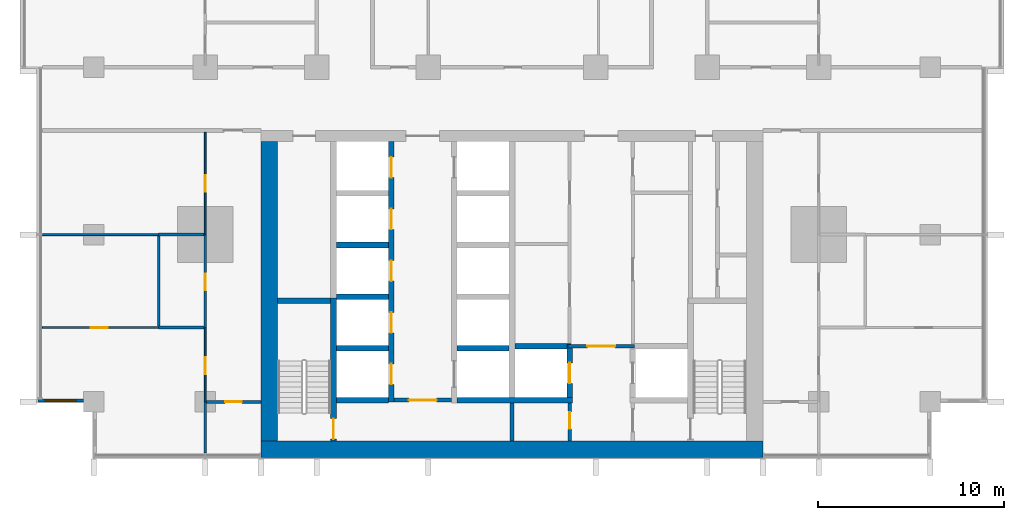
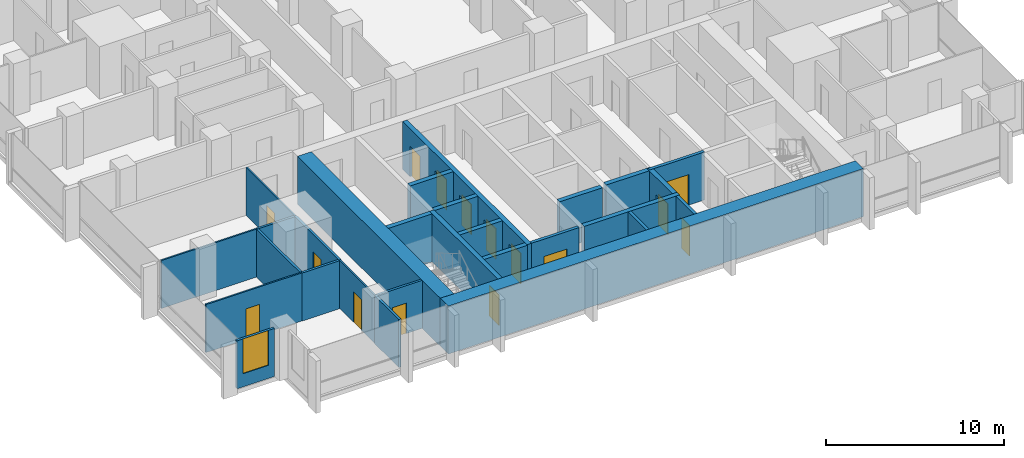
# One storey, part 7 of 18: 28 walls, 15 doors, 1 window, 16 openings.
"""IFC4 building model written with IfcOpenShell, lengths in metres."""

from ifc_helpers import new_model, si_unit, direction, frame, frame_2d, origin, place, context, subcontext, project, spatial, rectangle, extrude, material, layer, layer_set, type_object, element, fill, save


model = new_model("IFC4")

# Units and contexts
model_context = context("Model", 3, precision=1e-05, world=origin(), true_north=direction((0.0, 1.0)))
body_context = subcontext(model_context, "Body", "Model", "MODEL_VIEW")
ifc_project = project(units=[si_unit("LENGTHUNIT", "METRE"), si_unit("AREAUNIT", "SQUARE_METRE"), si_unit("VOLUMEUNIT", "CUBIC_METRE"), si_unit("PLANEANGLEUNIT", "RADIAN"), si_unit("MASSUNIT", "GRAM", prefix="KILO")], contexts=[model_context])

# Site, building, storey
site_placement = place(None, origin())
site = spatial("IfcSite", under=ifc_project, at=site_placement, CompositionType="ELEMENT")
building_placement = place(site_placement, origin())
building = spatial("IfcBuilding", under=site, at=building_placement, Name="Finial Court Residences", CompositionType="ELEMENT")
storey_placement = place(building_placement, frame((0.0, 0.0, 57.699951171875)))
storey = spatial("IfcBuildingStorey", under=building, at=storey_placement, Name="L13", CompositionType="ELEMENT", Elevation=57.699951171875)

# Walls
ifc_material_1 = material(Name="Concrete C80/95", Category="concrete")
ifc_layer_1 = layer(ifc_material_1, 0.89990234375)
ifc_layer_set_1 = layer_set([ifc_layer_1], Name="Core outer wall 900 Concrete C80/95")
wall_type_1 = type_object("IfcWallType", Name="Core outer wall 900 Concrete C80/95", PredefinedType="SHEAR", material=ifc_layer_set_1)
wall_1_placement = place(storey_placement, frame((-13.050048828125, -24.60009765625, 0.0), z_axis=(0.0, 0.0, 1.0), x_axis=(0.0, 1.0, 0.0)))
element("IfcWall", 1, at=wall_1_placement, inside=storey, type_object=wall_type_1, Name="Core outer wall L13-03", PredefinedType="SHEAR", context=body_context, shape_type="SweptSolid", body=[
    extrude(rectangle(XDim=16.10009765625, YDim=0.89990234375, at=frame_2d((8.050048828125, 0.0))), origin(), (0.0, 0.0, 1.0), 3.300048828125),
])
ifc_layer_2 = layer(ifc_material_1, 0.89990234375)
ifc_layer_set_2 = layer_set([ifc_layer_2], Name="Core south facade wall 900 Concrete C80/95")
wall_type_2 = type_object("IfcWallType", Name="Core south facade wall 900 Concrete C80/95", PredefinedType="SHEAR", material=ifc_layer_set_2)
wall_2_placement = place(storey_placement, frame((-13.5, -25.050048828125, 0.0), z_axis=(0.0, 0.0, 1.0), x_axis=(1.0, 0.0, 0.0)))
element("IfcWall", 2, at=wall_2_placement, inside=storey, type_object=wall_type_2, Name="Core outer wall L13-01", PredefinedType="SHEAR", context=body_context, shape_type="SweptSolid", body=[
    extrude(rectangle(XDim=27.0, YDim=0.89990234375, at=frame_2d((13.5, 0.0))), origin(), (0.0, 0.0, 1.0), 3.300048828125),
])

# Wall, opening, door
ifc_material_2 = material(Name="Fire-rated gypsum board partition")
ifc_layer_3 = layer(ifc_material_2, 0.199951171875)
ifc_layer_set_3 = layer_set([ifc_layer_3], Name="Firefighting lobby wall 200 EI 120")
wall_type_3 = type_object("IfcWallType", Name="Firefighting lobby wall 200 EI 120", PredefinedType="PARTITIONING", material=ifc_layer_set_3)
wall_3_placement = place(storey_placement, frame((6.574951171875, -19.5, 0.0), z_axis=(0.0, 0.0, 1.0), x_axis=(-1.0, 0.0, 0.0)))
wall_3 = element("IfcWall", 3, at=wall_3_placement, inside=storey, type_object=wall_type_3, Name="Core partition L13-08", PredefinedType="PARTITIONING", context=body_context, shape_type="SweptSolid", body=[
    extrude(rectangle(XDim=3.550048828125, YDim=0.199951171875, at=frame_2d((1.77490234375, 0.0))), origin(), (0.0, 0.0, 1.0), 3.300048828125),
])
opening_1_placement = place(wall_3_placement, frame((1.02490234375, 0.0, 0.0)))
opening_1 = element("IfcOpeningElement", 4, at=opening_1_placement, cuts=wall_3, Name="Opening L13-C02", PredefinedType="OPENING", context=body_context, shape_type="SweptSolid", body=[
    extrude(rectangle(XDim=1.5, YDim=2.10009765625, at=frame_2d((0.75, 1.050048828125))), frame((0.0, 0.10986328125, 0.0), z_axis=(0.0, -1.0, 0.0), x_axis=(1.0, 0.0, 0.0)), (0.0, 0.0, 1.0), 0.219970703125),
])
ifc_material_3 = material(Name="Steel fire door", Category="steel")
door_type_1 = type_object("IfcDoorType", Name="Firefighting lobby door 1500 x 2100 EI 90", OperationType="DOUBLE_DOOR_SINGLE_SWING", PredefinedType="DOOR", material=ifc_material_3)
door_1_placement = place(opening_1_placement, origin())
door_1 = element("IfcDoor", 5, at=door_1_placement, inside=storey, type_object=door_type_1, Name="Firefighting lobby door L13-C02", OperationType="DOUBLE_DOOR_SINGLE_SWING", OverallHeight=2.10009765625, OverallWidth=1.5, PredefinedType="DOOR", context=body_context, shape_type="SweptSolid", body=[
    extrude(rectangle(XDim=1.5, YDim=2.10009765625, at=frame_2d((0.75, 1.050048828125))), frame((0.0, 0.02490234375, 0.0), z_axis=(0.0, -1.0, 0.0), x_axis=(1.0, 0.0, 0.0)), (0.0, 0.0, 1.0), 0.050048828125),
])
fill(opening_1, door_1)

wall_4_placement = place(storey_placement, frame((3.10009765625, -24.60009765625, 0.0), z_axis=(0.0, 0.0, 1.0), x_axis=(0.0, 1.0, 0.0)))
wall_4 = element("IfcWall", 6, at=wall_4_placement, inside=storey, type_object=wall_type_3, Name="Core partition L13-27", PredefinedType="PARTITIONING", context=body_context, shape_type="SweptSolid", body=[
    extrude(rectangle(XDim=2.050048828125, YDim=0.199951171875, at=frame_2d((1.02490234375, 0.0))), origin(), (0.0, 0.0, 1.0), 3.300048828125),
])
opening_2_placement = place(wall_4_placement, frame((0.64990234375, 0.0, 0.0)))
opening_2 = element("IfcOpeningElement", 7, at=opening_2_placement, cuts=wall_4, Name="Opening L13-C06", PredefinedType="OPENING", context=body_context, shape_type="SweptSolid", body=[
    extrude(rectangle(XDim=0.89990234375, YDim=2.10009765625, at=frame_2d((0.449951171875, 1.050048828125))), frame((0.0, 0.10986328125, 0.0), z_axis=(0.0, -1.0, 0.0), x_axis=(1.0, 0.0, 0.0)), (0.0, 0.0, 1.0), 0.219970703125),
])
door_type_2 = type_object("IfcDoorType", Name="Riser room door 900 x 2100 EI 90", OperationType="NOTDEFINED", PredefinedType="DOOR", material=ifc_material_3)
door_2_placement = place(opening_2_placement, origin())
door_2 = element("IfcDoor", 8, at=door_2_placement, inside=storey, type_object=door_type_2, Name="Riser room door L13-C06", OperationType="SINGLE_SWING_LEFT", OverallHeight=2.10009765625, OverallWidth=0.89990234375, PredefinedType="DOOR", context=body_context, shape_type="SweptSolid", body=[
    extrude(rectangle(XDim=0.89990234375, YDim=2.10009765625, at=frame_2d((0.449951171875, 1.050048828125))), frame((0.0, 0.02490234375, 0.0), z_axis=(0.0, -1.0, 0.0), x_axis=(1.0, 0.0, 0.0)), (0.0, 0.0, 1.0), 0.050048828125),
])
fill(opening_2, door_2)

ifc_material_4 = material(Name="Gypsum board")
ifc_layer_4 = layer(ifc_material_4, 0.012451171875)
ifc_material_5 = material(Name="Mineral wool in light-gauge frame")
ifc_layer_5 = layer(ifc_material_5, 0.074951171875)
ifc_layer_6 = layer(ifc_material_4, 0.012451171875)
ifc_layer_set_4 = layer_set([ifc_layer_4, ifc_layer_5, ifc_layer_6], Name="Gypsum board partition 100")
wall_type_4 = type_object("IfcWallType", Name="Gypsum board partition 100", PredefinedType="PARTITIONING", material=ifc_layer_set_4)
wall_5_placement = place(storey_placement, frame((-25.25, -18.5, 0.0), z_axis=(0.0, 0.0, 1.0), x_axis=(1.0, 0.0, 0.0)))
wall_5 = element("IfcWall", 9, at=wall_5_placement, inside=storey, type_object=wall_type_4, Name="Partition L13-002", PredefinedType="PARTITIONING", context=body_context, shape_type="SweptSolid", body=[
    extrude(rectangle(XDim=6.25, YDim=0.10009765625, at=frame_2d((3.125, 0.0))), origin(), (0.0, 0.0, 1.0), 3.300048828125),
])
opening_3_placement = place(wall_5_placement, frame((2.60009765625, 0.0, 0.0)))
opening_3 = element("IfcOpeningElement", 10, at=opening_3_placement, cuts=wall_5, Name="Opening L13-D003", PredefinedType="OPENING", context=body_context, shape_type="SweptSolid", body=[
    extrude(rectangle(XDim=0.89990234375, YDim=2.10009765625, at=frame_2d((0.449951171875, 1.050048828125))), frame((0.0, 0.06005859375, 0.0), z_axis=(0.0, -1.0, 0.0), x_axis=(1.0, 0.0, 0.0)), (0.0, 0.0, 1.0), 0.1201171875),
])
ifc_material_6 = material(Name="Timber door leaf in timber frame", Category="wood")
door_type_3 = type_object("IfcDoorType", Name="Door set 900 x 2100", OperationType="SINGLE_SWING_LEFT", PredefinedType="DOOR", material=ifc_material_6)
door_3_placement = place(opening_3_placement, origin())
door_3 = element("IfcDoor", 11, at=door_3_placement, inside=storey, type_object=door_type_3, Name="Door L13-D003", OperationType="SINGLE_SWING_RIGHT", OverallHeight=2.10009765625, OverallWidth=0.89990234375, PredefinedType="DOOR", context=body_context, shape_type="SweptSolid", body=[
    extrude(rectangle(XDim=0.89990234375, YDim=2.10009765625, at=frame_2d((0.449951171875, 1.050048828125))), frame((0.0, 0.02490234375, 0.0), z_axis=(0.0, -1.0, 0.0), x_axis=(1.0, 0.0, 0.0)), (0.0, 0.0, 1.0), 0.050048828125),
])
fill(opening_3, door_3)

# Wall
wall_6_placement = place(storey_placement, frame((-25.25, -13.5, 0.0), z_axis=(0.0, 0.0, 1.0), x_axis=(1.0, 0.0, 0.0)))
element("IfcWall", 12, at=wall_6_placement, inside=storey, type_object=wall_type_4, Name="Partition L13-006", PredefinedType="PARTITIONING", context=body_context, shape_type="SweptSolid", body=[
    extrude(rectangle(XDim=6.25, YDim=0.10009765625, at=frame_2d((3.125, 0.0))), origin(), (0.0, 0.0, 1.0), 3.300048828125),
])

# Wall, opening, door
wall_7_placement = place(storey_placement, frame((-16.5, -22.5, 0.0), z_axis=(0.0, 0.0, 1.0), x_axis=(0.0, 1.0, 0.0)))
wall_7 = element("IfcWall", 13, at=wall_7_placement, inside=storey, type_object=wall_type_4, Name="Partition L13-060", PredefinedType="PARTITIONING", context=body_context, shape_type="SweptSolid", body=[
    extrude(rectangle(XDim=4.0, YDim=0.10009765625, at=frame_2d((2.0, 0.0))), origin(), (0.0, 0.0, 1.0), 3.300048828125),
])
opening_4_placement = place(wall_7_placement, frame((1.5, 0.0, 0.0)))
opening_4 = element("IfcOpeningElement", 14, at=opening_4_placement, cuts=wall_7, Name="Opening L13-D035", PredefinedType="OPENING", context=body_context, shape_type="SweptSolid", body=[
    extrude(rectangle(XDim=0.89990234375, YDim=2.10009765625, at=frame_2d((0.449951171875, 1.050048828125))), frame((0.0, 0.06005859375, 0.0), z_axis=(0.0, -1.0, 0.0), x_axis=(1.0, 0.0, 0.0)), (0.0, 0.0, 1.0), 0.1201171875),
])
door_4_placement = place(opening_4_placement, origin())
door_4 = element("IfcDoor", 15, at=door_4_placement, inside=storey, type_object=door_type_3, Name="Door L13-D035", OperationType="SINGLE_SWING_LEFT", OverallHeight=2.10009765625, OverallWidth=0.89990234375, PredefinedType="DOOR", context=body_context, shape_type="SweptSolid", body=[
    extrude(rectangle(XDim=0.89990234375, YDim=2.10009765625, at=frame_2d((0.449951171875, 1.050048828125))), frame((0.0, 0.02490234375, 0.0), z_axis=(0.0, -1.0, 0.0), x_axis=(1.0, 0.0, 0.0)), (0.0, 0.0, 1.0), 0.050048828125),
])
fill(opening_4, door_4)

wall_8_placement = place(storey_placement, frame((-16.5, -13.5, 0.0), z_axis=(0.0, 0.0, 1.0), x_axis=(0.0, 1.0, 0.0)))
wall_8 = element("IfcWall", 16, at=wall_8_placement, inside=storey, type_object=wall_type_4, Name="Partition L13-061", PredefinedType="PARTITIONING", context=body_context, shape_type="SweptSolid", body=[
    extrude(rectangle(XDim=5.5, YDim=0.10009765625, at=frame_2d((2.75, 0.0))), origin(), (0.0, 0.0, 1.0), 3.300048828125),
])
opening_5_placement = place(wall_8_placement, frame((2.300048828125, 0.0, 0.0)))
opening_5 = element("IfcOpeningElement", 17, at=opening_5_placement, cuts=wall_8, Name="Opening L13-D036", PredefinedType="OPENING", context=body_context, shape_type="SweptSolid", body=[
    extrude(rectangle(XDim=0.89990234375, YDim=2.10009765625, at=frame_2d((0.449951171875, 1.050048828125))), frame((0.0, 0.06005859375, 0.0), z_axis=(0.0, -1.0, 0.0), x_axis=(1.0, 0.0, 0.0)), (0.0, 0.0, 1.0), 0.1201171875),
])
door_5_placement = place(opening_5_placement, origin())
door_5 = element("IfcDoor", 18, at=door_5_placement, inside=storey, type_object=door_type_3, Name="Door L13-D036", OperationType="SINGLE_SWING_RIGHT", OverallHeight=2.10009765625, OverallWidth=0.89990234375, PredefinedType="DOOR", context=body_context, shape_type="SweptSolid", body=[
    extrude(rectangle(XDim=0.89990234375, YDim=2.10009765625, at=frame_2d((0.449951171875, 1.050048828125))), frame((0.0, 0.02490234375, 0.0), z_axis=(0.0, -1.0, 0.0), x_axis=(1.0, 0.0, 0.0)), (0.0, 0.0, 1.0), 0.050048828125),
])
fill(opening_5, door_5)

ifc_material_7 = material(Name="Moisture-resistant gypsum board")
ifc_layer_7 = layer(ifc_material_7, 0.012451171875)
ifc_layer_8 = layer(ifc_material_5, 0.125)
ifc_layer_9 = layer(ifc_material_7, 0.012451171875)
ifc_layer_set_5 = layer_set([ifc_layer_7, ifc_layer_8, ifc_layer_9], Name="Gypsum board wet-area partition 150")
wall_type_5 = type_object("IfcWallType", Name="Gypsum board wet-area partition 150", PredefinedType="PARTITIONING", material=ifc_layer_set_5)
wall_9_placement = place(storey_placement, frame((-16.425048828125, -22.5, 0.0), z_axis=(0.0, 0.0, 1.0), x_axis=(1.0, 0.0, 0.0)))
wall_9 = element("IfcWall", 19, at=wall_9_placement, inside=storey, type_object=wall_type_5, Name="Partition L13-000", PredefinedType="PARTITIONING", context=body_context, shape_type="SweptSolid", body=[
    extrude(rectangle(XDim=2.925048828125, YDim=0.14990234375, at=frame_2d((1.46240234375, 0.0))), origin(), (0.0, 0.0, 1.0), 3.300048828125),
])
opening_6_placement = place(wall_9_placement, frame((1.0, 0.0, 0.0)))
opening_6 = element("IfcOpeningElement", 20, at=opening_6_placement, cuts=wall_9, Name="Opening L13-D001", PredefinedType="OPENING", context=body_context, shape_type="SweptSolid", body=[
    extrude(rectangle(XDim=0.89990234375, YDim=2.10009765625, at=frame_2d((0.449951171875, 1.050048828125))), frame((0.0, 0.0849609375, 0.0), z_axis=(0.0, -1.0, 0.0), x_axis=(1.0, 0.0, 0.0)), (0.0, 0.0, 1.0), 0.169921875),
])
door_6_placement = place(opening_6_placement, origin())
door_6 = element("IfcDoor", 21, at=door_6_placement, inside=storey, type_object=door_type_3, Name="Door L13-D001", OperationType="SINGLE_SWING_RIGHT", OverallHeight=2.10009765625, OverallWidth=0.89990234375, PredefinedType="DOOR", context=body_context, shape_type="SweptSolid", body=[
    extrude(rectangle(XDim=0.89990234375, YDim=2.10009765625, at=frame_2d((0.449951171875, 1.050048828125))), frame((0.0, 0.02490234375, 0.0), z_axis=(0.0, -1.0, 0.0), x_axis=(1.0, 0.0, 0.0)), (0.0, 0.0, 1.0), 0.050048828125),
])
fill(opening_6, door_6)

# Walls
for number, where, z_axis, x_axis, name in (
    (22, (-19.0, -18.5, 0.0), (0.0, 0.0, 1.0), (1.0, 0.0, 0.0), "Partition L13-004"),
    (23, (-19.0, -13.5, 0.0), (0.0, 0.0, 1.0), (1.0, 0.0, 0.0), "Partition L13-008"),
):
    element("IfcWall", number, at=place(storey_placement, frame(where, z_axis=z_axis, x_axis=x_axis)), inside=storey, type_object=wall_type_5, Name=name, PredefinedType="PARTITIONING", context=body_context, shape_type="SweptSolid", body=[
        extrude(rectangle(XDim=2.425048828125, YDim=0.14990234375, at=frame_2d((1.21240234375, 0.0))), origin(), (0.0, 0.0, 1.0), 3.300048828125),
    ])
wall_10_placement = place(storey_placement, frame((-19.0, -18.425048828125, 0.0), z_axis=(0.0, 0.0, 1.0), x_axis=(0.0, 1.0, 0.0)))
element("IfcWall", 24, at=wall_10_placement, inside=storey, type_object=wall_type_5, Name="Partition L13-057", PredefinedType="PARTITIONING", context=body_context, shape_type="SweptSolid", body=[
    extrude(rectangle(XDim=4.85009765625, YDim=0.14990234375, at=frame_2d((2.425048828125, 0.0))), origin(), (0.0, 0.0, 1.0), 3.300048828125),
])
wall_11_placement = place(storey_placement, frame((-16.5, -25.25, 0.0), z_axis=(0.0, 0.0, 1.0), x_axis=(0.0, 1.0, 0.0)))
element("IfcWall", 25, at=wall_11_placement, inside=storey, type_object=wall_type_5, Name="Partition L13-065", PredefinedType="PARTITIONING", context=body_context, shape_type="SweptSolid", body=[
    extrude(rectangle(XDim=2.75, YDim=0.14990234375, at=frame_2d((1.375, 0.0))), origin(), (0.0, 0.0, 1.0), 3.300048828125),
])

# Wall, opening, door
wall_12_placement = place(storey_placement, frame((-16.5, -18.5, 0.0), z_axis=(0.0, 0.0, 1.0), x_axis=(0.0, 1.0, 0.0)))
wall_12 = element("IfcWall", 26, at=wall_12_placement, inside=storey, type_object=wall_type_5, Name="Partition L13-066", PredefinedType="PARTITIONING", context=body_context, shape_type="SweptSolid", body=[
    extrude(rectangle(XDim=5.0, YDim=0.14990234375, at=frame_2d((2.5, 0.0))), origin(), (0.0, 0.0, 1.0), 3.300048828125),
])
opening_7_placement = place(wall_12_placement, frame((2.0, 0.0, 0.0)))
opening_7 = element("IfcOpeningElement", 27, at=opening_7_placement, cuts=wall_12, Name="Opening L13-D040", PredefinedType="OPENING", context=body_context, shape_type="SweptSolid", body=[
    extrude(rectangle(XDim=0.89990234375, YDim=2.10009765625, at=frame_2d((0.449951171875, 1.050048828125))), frame((0.0, 0.0849609375, 0.0), z_axis=(0.0, -1.0, 0.0), x_axis=(1.0, 0.0, 0.0)), (0.0, 0.0, 1.0), 0.169921875),
])
door_7_placement = place(opening_7_placement, origin())
door_7 = element("IfcDoor", 28, at=door_7_placement, inside=storey, type_object=door_type_3, Name="Door L13-D040", OperationType="SINGLE_SWING_LEFT", OverallHeight=2.10009765625, OverallWidth=0.89990234375, PredefinedType="DOOR", context=body_context, shape_type="SweptSolid", body=[
    extrude(rectangle(XDim=0.89990234375, YDim=2.10009765625, at=frame_2d((0.449951171875, 1.050048828125))), frame((0.0, 0.02490234375, 0.0), z_axis=(0.0, -1.0, 0.0), x_axis=(1.0, 0.0, 0.0)), (0.0, 0.0, 1.0), 0.050048828125),
])
fill(opening_7, door_7)

# Walls
ifc_layer_10 = layer(ifc_material_1, 0.300048828125)
ifc_layer_set_6 = layer_set([ifc_layer_10], Name="Lift shaft and stair wall 300 Concrete C80/95")
wall_type_6 = type_object("IfcWallType", Name="Lift shaft and stair wall 300 Concrete C80/95", PredefinedType="SHEAR", material=ifc_layer_set_6)
wall_13_placement = place(storey_placement, frame((-9.449951171875, -22.39990234375, 0.0), z_axis=(0.0, 0.0, 1.0), x_axis=(1.0, 0.0, 0.0)))
element("IfcWall", 29, at=wall_13_placement, inside=storey, type_object=wall_type_6, Name="Core wall L13-01", PredefinedType="SHEAR", context=body_context, shape_type="SweptSolid", body=[
    extrude(rectangle(XDim=2.800048828125, YDim=0.300048828125, at=frame_2d((1.39990234375, 0.0))), origin(), (0.0, 0.0, 1.0), 3.300048828125),
])
wall_14_placement = place(storey_placement, frame((-2.949951171875, -22.39990234375, 0.0), z_axis=(0.0, 0.0, 1.0), x_axis=(1.0, 0.0, 0.0)))
element("IfcWall", 30, at=wall_14_placement, inside=storey, type_object=wall_type_6, Name="Core wall L13-03", PredefinedType="SHEAR", context=body_context, shape_type="SweptSolid", body=[
    extrude(rectangle(XDim=6.199951171875, YDim=0.300048828125, at=frame_2d((3.10009765625, 0.0))), origin(), (0.0, 0.0, 1.0), 3.300048828125),
])
for number, where, z_axis, x_axis, name in (
    (31, (-9.449951171875, -19.6201171875, 0.0), (0.0, 0.0, 1.0), (1.0, 0.0, 0.0), "Core wall L13-05"),
    (32, (-2.949951171875, -19.6201171875, 0.0), (0.0, 0.0, 1.0), (1.0, 0.0, 0.0), "Core wall L13-06"),
):
    element("IfcWall", number, at=place(storey_placement, frame(where, z_axis=z_axis, x_axis=x_axis)), inside=storey, type_object=wall_type_6, Name=name, PredefinedType="SHEAR", context=body_context, shape_type="SweptSolid", body=[
        extrude(rectangle(XDim=2.800048828125, YDim=0.300048828125, at=frame_2d((1.39990234375, 0.0))), origin(), (0.0, 0.0, 1.0), 3.300048828125),
    ])
wall_15_placement = place(storey_placement, frame((0.14990234375, -19.5, 0.0), z_axis=(0.0, 0.0, 1.0), x_axis=(1.0, 0.0, 0.0)))
element("IfcWall", 33, at=wall_15_placement, inside=storey, type_object=wall_type_6, Name="Core wall L13-07", PredefinedType="SHEAR", context=body_context, shape_type="SweptSolid", body=[
    extrude(rectangle(XDim=3.025146484375, YDim=0.300048828125, at=frame_2d((1.5126953125, 0.0))), origin(), (0.0, 0.0, 1.0), 3.300048828125),
])
wall_16_placement = place(storey_placement, frame((-12.60009765625, -17.050048828125, 0.0), z_axis=(0.0, 0.0, 1.0), x_axis=(1.0, 0.0, 0.0)))
element("IfcWall", 34, at=wall_16_placement, inside=storey, type_object=wall_type_6, Name="Core wall L13-10", PredefinedType="SHEAR", context=body_context, shape_type="SweptSolid", body=[
    extrude(rectangle(XDim=2.85009765625, YDim=0.300048828125, at=frame_2d((1.425048828125, 0.0))), origin(), (0.0, 0.0, 1.0), 3.300048828125),
])
for number, where, z_axis, x_axis, name in (
    (35, (-9.449951171875, -16.840087890625, 0.0), (0.0, 0.0, 1.0), (1.0, 0.0, 0.0), "Core wall L13-12"),
    (36, (-9.449951171875, -14.06005859375, 0.0), (0.0, 0.0, 1.0), (1.0, 0.0, 0.0), "Core wall L13-15"),
):
    element("IfcWall", number, at=place(storey_placement, frame(where, z_axis=z_axis, x_axis=x_axis)), inside=storey, type_object=wall_type_6, Name=name, PredefinedType="SHEAR", context=body_context, shape_type="SweptSolid", body=[
        extrude(rectangle(XDim=2.800048828125, YDim=0.300048828125, at=frame_2d((1.39990234375, 0.0))), origin(), (0.0, 0.0, 1.0), 3.300048828125),
    ])

# Wall, opening, door
wall_17_placement = place(storey_placement, frame((-9.60009765625, -24.60009765625, 0.0), z_axis=(0.0, 0.0, 1.0), x_axis=(0.0, 1.0, 0.0)))
wall_17 = element("IfcWall", 37, at=wall_17_placement, inside=storey, type_object=wall_type_6, Name="Core wall L13-21", PredefinedType="SHEAR", context=body_context, shape_type="SweptSolid", body=[
    extrude(rectangle(XDim=7.7001953125, YDim=0.300048828125, at=frame_2d((3.85009765625, 0.0))), origin(), (0.0, 0.0, 1.0), 3.300048828125),
])
opening_8_placement = place(wall_17_placement, frame((0.10009765625, 0.0, 0.0)))
opening_8 = element("IfcOpeningElement", 38, at=opening_8_placement, cuts=wall_17, Name="Opening L13-C15", PredefinedType="OPENING", context=body_context, shape_type="SweptSolid", body=[
    extrude(rectangle(XDim=1.10009765625, YDim=2.10009765625, at=frame_2d((0.550048828125, 1.050048828125))), frame((0.0, 0.159912109375, 0.0), z_axis=(0.0, -1.0, 0.0), x_axis=(1.0, 0.0, 0.0)), (0.0, 0.0, 1.0), 0.320068359375),
])
door_type_4 = type_object("IfcDoorType", Name="Stair door 1100 x 2100 EI 90", OperationType="NOTDEFINED", PredefinedType="DOOR", material=ifc_material_3)
door_8_placement = place(opening_8_placement, origin())
door_8 = element("IfcDoor", 39, at=door_8_placement, inside=storey, type_object=door_type_4, Name="Stair door L13-C15", OperationType="SINGLE_SWING_LEFT", OverallHeight=2.10009765625, OverallWidth=1.10009765625, PredefinedType="DOOR", context=body_context, shape_type="SweptSolid", body=[
    extrude(rectangle(XDim=1.10009765625, YDim=2.10009765625, at=frame_2d((0.550048828125, 1.050048828125))), frame((0.0, 0.02490234375, 0.0), z_axis=(0.0, -1.0, 0.0), x_axis=(1.0, 0.0, 0.0)), (0.0, 0.0, 1.0), 0.050048828125),
])
fill(opening_8, door_8)

# Wall, openings, doors
wall_18_placement = place(storey_placement, frame((-6.5, -22.5, 0.0), z_axis=(0.0, 0.0, 1.0), x_axis=(0.0, 1.0, 0.0)))
wall_18 = element("IfcWall", 40, at=wall_18_placement, inside=storey, type_object=wall_type_6, Name="Core wall L13-23", PredefinedType="SHEAR", context=body_context, shape_type="SweptSolid", body=[
    extrude(rectangle(XDim=14.0, YDim=0.300048828125, at=frame_2d((7.0, 0.0))), origin(), (0.0, 0.0, 1.0), 3.300048828125),
])
opening_9_placement = place(wall_18_placement, frame((0.93994140625, 0.0, 0.0)))
opening_9 = element("IfcOpeningElement", 41, at=opening_9_placement, cuts=wall_18, Name="Opening L13-LD03", PredefinedType="OPENING", context=body_context, shape_type="SweptSolid", body=[
    extrude(rectangle(XDim=1.10009765625, YDim=2.10009765625, at=frame_2d((0.550048828125, 1.050048828125))), frame((0.0, 0.159912109375, 0.0), z_axis=(0.0, -1.0, 0.0), x_axis=(1.0, 0.0, 0.0)), (0.0, 0.0, 1.0), 0.320068359375),
])
opening_10_placement = place(wall_18_placement, frame((3.719970703125, 0.0, 0.0)))
opening_10 = element("IfcOpeningElement", 42, at=opening_10_placement, cuts=wall_18, Name="Opening L13-LD04", PredefinedType="OPENING", context=body_context, shape_type="SweptSolid", body=[
    extrude(rectangle(XDim=1.10009765625, YDim=2.10009765625, at=frame_2d((0.550048828125, 1.050048828125))), frame((0.0, 0.159912109375, 0.0), z_axis=(0.0, -1.0, 0.0), x_axis=(1.0, 0.0, 0.0)), (0.0, 0.0, 1.0), 0.320068359375),
])
opening_11_placement = place(wall_18_placement, frame((6.5, 0.0, 0.0)))
opening_11 = element("IfcOpeningElement", 43, at=opening_11_placement, cuts=wall_18, Name="Opening L13-LD05", PredefinedType="OPENING", context=body_context, shape_type="SweptSolid", body=[
    extrude(rectangle(XDim=1.10009765625, YDim=2.10009765625, at=frame_2d((0.550048828125, 1.050048828125))), frame((0.0, 0.159912109375, 0.0), z_axis=(0.0, -1.0, 0.0), x_axis=(1.0, 0.0, 0.0)), (0.0, 0.0, 1.0), 0.320068359375),
])
opening_12_placement = place(wall_18_placement, frame((9.280029296875, 0.0, 0.0)))
opening_12 = element("IfcOpeningElement", 44, at=opening_12_placement, cuts=wall_18, Name="Opening L13-LD06", PredefinedType="OPENING", context=body_context, shape_type="SweptSolid", body=[
    extrude(rectangle(XDim=1.10009765625, YDim=2.10009765625, at=frame_2d((0.550048828125, 1.050048828125))), frame((0.0, 0.159912109375, 0.0), z_axis=(0.0, -1.0, 0.0), x_axis=(1.0, 0.0, 0.0)), (0.0, 0.0, 1.0), 0.320068359375),
])
opening_13_placement = place(wall_18_placement, frame((12.06005859375, 0.0, 0.0)))
opening_13 = element("IfcOpeningElement", 45, at=opening_13_placement, cuts=wall_18, Name="Opening L13-LD07", PredefinedType="OPENING", context=body_context, shape_type="SweptSolid", body=[
    extrude(rectangle(XDim=1.10009765625, YDim=2.10009765625, at=frame_2d((0.550048828125, 1.050048828125))), frame((0.0, 0.159912109375, 0.0), z_axis=(0.0, -1.0, 0.0), x_axis=(1.0, 0.0, 0.0)), (0.0, 0.0, 1.0), 0.320068359375),
])
ifc_material_8 = material(Name="Stainless steel lift door", Category="steel")
door_type_5 = type_object("IfcDoorType", Name="Lift landing door 1100 x 2100 EI 90", OperationType="DOUBLE_DOOR_SLIDING", PredefinedType="DOOR", material=ifc_material_8)
door_9_placement = place(opening_9_placement, origin())
door_9 = element("IfcDoor", 46, at=door_9_placement, inside=storey, type_object=door_type_5, Name="Lift landing door LR1 L13", OperationType="DOUBLE_DOOR_SLIDING", OverallHeight=2.10009765625, OverallWidth=1.10009765625, PredefinedType="DOOR", context=body_context, shape_type="SweptSolid", body=[
    extrude(rectangle(XDim=1.10009765625, YDim=2.10009765625, at=frame_2d((0.550048828125, 1.050048828125))), frame((0.0, 0.02490234375, 0.0), z_axis=(0.0, -1.0, 0.0), x_axis=(1.0, 0.0, 0.0)), (0.0, 0.0, 1.0), 0.050048828125),
])
fill(opening_9, door_9)
door_10_placement = place(opening_10_placement, origin())
door_10 = element("IfcDoor", 47, at=door_10_placement, inside=storey, type_object=door_type_5, Name="Lift landing door LR2 L13", OperationType="DOUBLE_DOOR_SLIDING", OverallHeight=2.10009765625, OverallWidth=1.10009765625, PredefinedType="DOOR", context=body_context, shape_type="SweptSolid", body=[
    extrude(rectangle(XDim=1.10009765625, YDim=2.10009765625, at=frame_2d((0.550048828125, 1.050048828125))), frame((0.0, 0.02490234375, 0.0), z_axis=(0.0, -1.0, 0.0), x_axis=(1.0, 0.0, 0.0)), (0.0, 0.0, 1.0), 0.050048828125),
])
fill(opening_10, door_10)
door_11_placement = place(opening_11_placement, origin())
door_11 = element("IfcDoor", 48, at=door_11_placement, inside=storey, type_object=door_type_5, Name="Lift landing door LR3 L13", OperationType="DOUBLE_DOOR_SLIDING", OverallHeight=2.10009765625, OverallWidth=1.10009765625, PredefinedType="DOOR", context=body_context, shape_type="SweptSolid", body=[
    extrude(rectangle(XDim=1.10009765625, YDim=2.10009765625, at=frame_2d((0.550048828125, 1.050048828125))), frame((0.0, 0.02490234375, 0.0), z_axis=(0.0, -1.0, 0.0), x_axis=(1.0, 0.0, 0.0)), (0.0, 0.0, 1.0), 0.050048828125),
])
fill(opening_11, door_11)
door_12_placement = place(opening_12_placement, origin())
door_12 = element("IfcDoor", 49, at=door_12_placement, inside=storey, type_object=door_type_5, Name="Lift landing door LR4 L13", OperationType="DOUBLE_DOOR_SLIDING", OverallHeight=2.10009765625, OverallWidth=1.10009765625, PredefinedType="DOOR", context=body_context, shape_type="SweptSolid", body=[
    extrude(rectangle(XDim=1.10009765625, YDim=2.10009765625, at=frame_2d((0.550048828125, 1.050048828125))), frame((0.0, 0.02490234375, 0.0), z_axis=(0.0, -1.0, 0.0), x_axis=(1.0, 0.0, 0.0)), (0.0, 0.0, 1.0), 0.050048828125),
])
fill(opening_12, door_12)
door_13_placement = place(opening_13_placement, origin())
door_13 = element("IfcDoor", 50, at=door_13_placement, inside=storey, type_object=door_type_5, Name="Lift landing door LR5 L13", OperationType="DOUBLE_DOOR_SLIDING", OverallHeight=2.10009765625, OverallWidth=1.10009765625, PredefinedType="DOOR", context=body_context, shape_type="SweptSolid", body=[
    extrude(rectangle(XDim=1.10009765625, YDim=2.10009765625, at=frame_2d((0.550048828125, 1.050048828125))), frame((0.0, 0.02490234375, 0.0), z_axis=(0.0, -1.0, 0.0), x_axis=(1.0, 0.0, 0.0)), (0.0, 0.0, 1.0), 0.050048828125),
])
fill(opening_13, door_13)

# Wall, opening, door
wall_19_placement = place(storey_placement, frame((3.10009765625, -22.25, 0.0), z_axis=(0.0, 0.0, 1.0), x_axis=(0.0, 1.0, 0.0)))
wall_19 = element("IfcWall", 51, at=wall_19_placement, inside=storey, type_object=wall_type_6, Name="Core wall L13-28", PredefinedType="SHEAR", context=body_context, shape_type="SweptSolid", body=[
    extrude(rectangle(XDim=2.85009765625, YDim=0.300048828125, at=frame_2d((1.425048828125, 0.0))), origin(), (0.0, 0.0, 1.0), 3.300048828125),
])
opening_14_placement = place(wall_19_placement, frame((0.75, 0.0, 0.0)))
opening_14 = element("IfcOpeningElement", 52, at=opening_14_placement, cuts=wall_19, Name="Opening L13-LD01", PredefinedType="OPENING", context=body_context, shape_type="SweptSolid", body=[
    extrude(rectangle(XDim=1.10009765625, YDim=2.10009765625, at=frame_2d((0.550048828125, 1.050048828125))), frame((0.0, 0.159912109375, 0.0), z_axis=(0.0, -1.0, 0.0), x_axis=(1.0, 0.0, 0.0)), (0.0, 0.0, 1.0), 0.320068359375),
])
door_14_placement = place(opening_14_placement, origin())
door_14 = element("IfcDoor", 53, at=door_14_placement, inside=storey, type_object=door_type_5, Name="Lift landing door FF1 L13", OperationType="DOUBLE_DOOR_SLIDING", OverallHeight=2.10009765625, OverallWidth=1.10009765625, PredefinedType="DOOR", context=body_context, shape_type="SweptSolid", body=[
    extrude(rectangle(XDim=1.10009765625, YDim=2.10009765625, at=frame_2d((0.550048828125, 1.050048828125))), frame((0.0, 0.02490234375, 0.0), z_axis=(0.0, -1.0, 0.0), x_axis=(1.0, 0.0, 0.0)), (0.0, 0.0, 1.0), 0.050048828125),
])
fill(opening_14, door_14)

# Wall, opening, window
ifc_material_9 = material(Name="Natural limestone", Category="masonry")
ifc_layer_11 = layer(ifc_material_9, 0.14990234375)
ifc_layer_set_7 = layer_set([ifc_layer_11], Name="Limestone clad wall 150")
wall_type_7 = type_object("IfcWallType", Name="Limestone clad wall 150", PredefinedType="SOLIDWALL", material=ifc_layer_set_7)
wall_20_placement = place(storey_placement, frame((-23.050048828125, -22.425048828125, 0.0), z_axis=(0.0, 0.0, 1.0), x_axis=(-1.0, 0.0, 0.0)))
wall_20 = element("IfcWall", 54, at=wall_20_placement, inside=storey, type_object=wall_type_7, Name="E-L13-NWS14", PredefinedType="SOLIDWALL", context=body_context, shape_type="SweptSolid", body=[
    extrude(rectangle(XDim=2.449951171875, YDim=0.14990234375, at=frame_2d((1.22509765625, 0.0))), origin(), (0.0, 0.0, 1.0), 3.300048828125),
])
opening_15_placement = place(wall_20_placement, frame((0.39990234375, 0.0, 0.89990234375)))
opening_15 = element("IfcOpeningElement", 55, at=opening_15_placement, cuts=wall_20, Name="Opening WE13-02", PredefinedType="OPENING", context=body_context, shape_type="SweptSolid", body=[
    extrude(rectangle(XDim=1.64990234375, YDim=2.39990234375, at=frame_2d((0.824951171875, 1.199951171875))), frame((0.0, 0.0849609375, 0.0), z_axis=(0.0, -1.0, 0.0), x_axis=(1.0, 0.0, 0.0)), (0.0, 0.0, 1.0), 0.169921875),
])
ifc_material_10 = material(Name="Clear low-e glass", Category="glass")
window_type = type_object("IfcWindowType", Name="Corner window 1650 x 2400", PartitioningType="SINGLE_PANEL", PredefinedType="WINDOW", material=ifc_material_10)
window_placement = place(opening_15_placement, origin())
window = element("IfcWindow", 56, at=window_placement, inside=storey, type_object=window_type, Name="E-L13-NWS14-W1", OverallHeight=2.39990234375, OverallWidth=1.64990234375, PartitioningType="SINGLE_PANEL", PredefinedType="WINDOW", context=body_context, shape_type="SweptSolid", body=[
    extrude(rectangle(XDim=1.64990234375, YDim=2.39990234375, at=frame_2d((0.824951171875, 1.199951171875))), frame((0.0, 0.030029296875, 0.0), z_axis=(0.0, -1.0, 0.0), x_axis=(1.0, 0.0, 0.0)), (0.0, 0.0, 1.0), 0.06005859375),
])
fill(opening_15, window)

# Wall
ifc_layer_12 = layer(ifc_material_2, 0.199951171875)
ifc_layer_set_8 = layer_set([ifc_layer_12], Name="Riser room wall 200 EI 120")
wall_type_8 = type_object("IfcWallType", Name="Riser room wall 200 EI 120", PredefinedType="PARTITIONING", material=ifc_layer_set_8)
wall_21_placement = place(storey_placement, frame((0.0, -24.60009765625, 0.0), z_axis=(0.0, 0.0, 1.0), x_axis=(0.0, 1.0, 0.0)))
element("IfcWall", 57, at=wall_21_placement, inside=storey, type_object=wall_type_8, Name="Core partition L13-25", PredefinedType="PARTITIONING", context=body_context, shape_type="SweptSolid", body=[
    extrude(rectangle(XDim=2.050048828125, YDim=0.199951171875, at=frame_2d((1.02490234375, 0.0))), origin(), (0.0, 0.0, 1.0), 3.300048828125),
])

# Wall, opening, door
ifc_layer_13 = layer(ifc_material_2, 0.199951171875)
ifc_layer_set_9 = layer_set([ifc_layer_13], Name="Stair passage wall 200 EI 180")
wall_type_9 = type_object("IfcWallType", Name="Stair passage wall 200 EI 180", PredefinedType="PARTITIONING", material=ifc_layer_set_9)
wall_22_placement = place(storey_placement, frame((-3.25, -22.39990234375, 0.0), z_axis=(0.0, 0.0, 1.0), x_axis=(-1.0, 0.0, 0.0)))
wall_22 = element("IfcWall", 58, at=wall_22_placement, inside=storey, type_object=wall_type_9, Name="Core partition L13-02", PredefinedType="PARTITIONING", context=body_context, shape_type="SweptSolid", body=[
    extrude(rectangle(XDim=3.10009765625, YDim=0.199951171875, at=frame_2d((1.550048828125, 0.0))), origin(), (0.0, 0.0, 1.0), 3.300048828125),
])
opening_16_placement = place(wall_22_placement, frame((0.800048828125, 0.0, 0.0)))
opening_16 = element("IfcOpeningElement", 59, at=opening_16_placement, cuts=wall_22, Name="Opening L13-C03", PredefinedType="OPENING", context=body_context, shape_type="SweptSolid", body=[
    extrude(rectangle(XDim=1.5, YDim=2.10009765625, at=frame_2d((0.75, 1.050048828125))), frame((0.0, 0.10986328125, 0.0), z_axis=(0.0, -1.0, 0.0), x_axis=(1.0, 0.0, 0.0)), (0.0, 0.0, 1.0), 0.219970703125),
])
door_type_6 = type_object("IfcDoorType", Name="Lift lobby door 1500 x 2100 EI 60", OperationType="DOUBLE_DOOR_SINGLE_SWING", PredefinedType="DOOR", material=ifc_material_3)
door_15_placement = place(opening_16_placement, origin())
door_15 = element("IfcDoor", 60, at=door_15_placement, inside=storey, type_object=door_type_6, Name="Lift lobby door L13-C03", OperationType="DOUBLE_DOOR_SINGLE_SWING", OverallHeight=2.10009765625, OverallWidth=1.5, PredefinedType="DOOR", context=body_context, shape_type="SweptSolid", body=[
    extrude(rectangle(XDim=1.5, YDim=2.10009765625, at=frame_2d((0.75, 1.050048828125))), frame((0.0, 0.02490234375, 0.0), z_axis=(0.0, -1.0, 0.0), x_axis=(1.0, 0.0, 0.0)), (0.0, 0.0, 1.0), 0.050048828125),
])
fill(opening_16, door_15)

save(model, "model.ifc")
